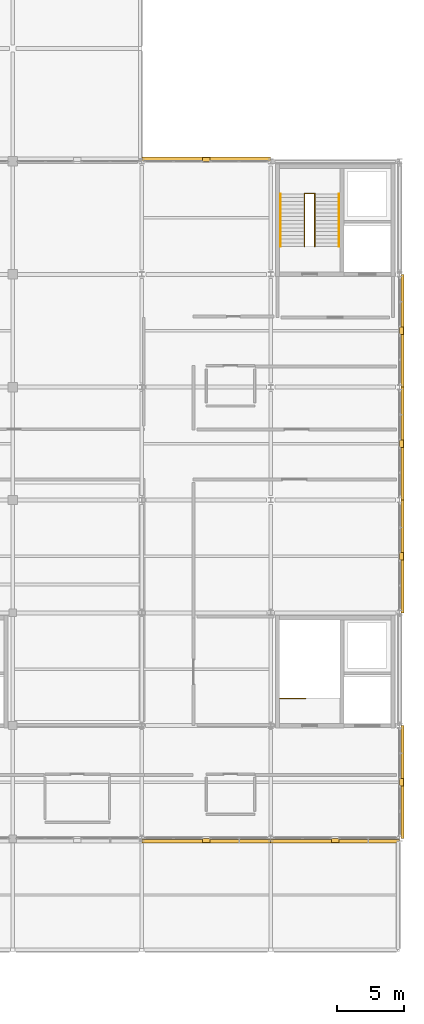
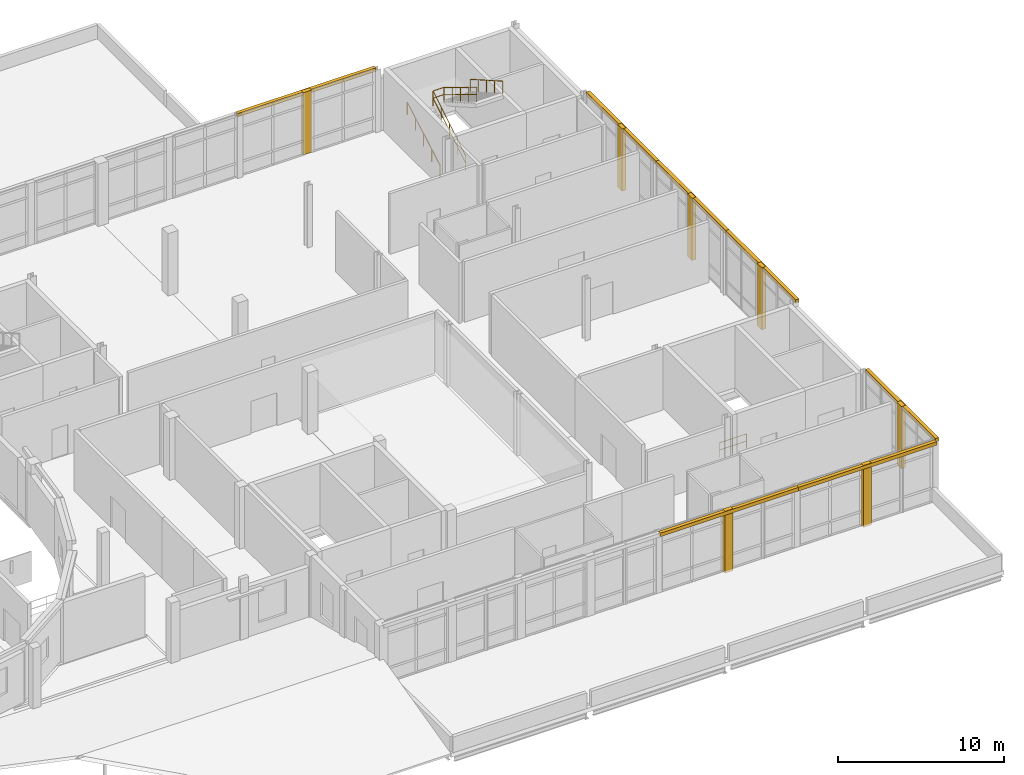
# One storey, part 52 of 52: 14 coverings, 6 railings.
"""IFC4 building model written with IfcOpenShell, lengths in metres."""

from ifc_helpers import new_model, si_unit, direction, frame, origin, origin_2d, place, context, subcontext, project, spatial, polyline, circle, outline, extrude, material, layer, layer_set, type_object, element, save


model = new_model("IFC4")

# Units and contexts
model_context = context("Model", 3, precision=1e-05, world=origin(), true_north=direction((0.0, 1.0)))
body_context = subcontext(model_context, "Body", "Model", "MODEL_VIEW")
ifc_project = project(units=[si_unit("LENGTHUNIT", "METRE"), si_unit("AREAUNIT", "SQUARE_METRE"), si_unit("VOLUMEUNIT", "CUBIC_METRE"), si_unit("PLANEANGLEUNIT", "RADIAN"), si_unit("MASSUNIT", "GRAM", prefix="KILO")], contexts=[model_context])

# Site, building, storey
site_placement = place(None, origin())
site = spatial("IfcSite", under=ifc_project, at=site_placement, CompositionType="ELEMENT")
building_placement = place(site_placement, origin())
building = spatial("IfcBuilding", under=site, at=building_placement, Name="Lornevale Opera House", CompositionType="ELEMENT")
storey_placement = place(building_placement, frame((0.0, 0.0, 15.0)))
storey = spatial("IfcBuildingStorey", under=building, at=storey_placement, Name="L04", CompositionType="ELEMENT", Elevation=15.0)

# Coverings
ifc_material_1 = material(Name="Precast Concrete 40 MPa (CSA A23.1 C-1)", Category="concrete")
ifc_layer_1 = layer(ifc_material_1, 0.260009765625)
ifc_layer_set_1 = layer_set([ifc_layer_1], Name="Precast Concrete 40 MPa (CSA A23.1 C-1)")
covering_type_1 = type_object("IfcCoveringType", Name="Postmodern Sandstone Pilaster Rib", PredefinedType="CLADDING", material=ifc_layer_set_1)
covering_1_placement = place(storey_placement, origin())
element("IfcCovering", 1, at=covering_1_placement, inside=storey, type_object=covering_type_1, Name="Postmodern Sandstone Mullion Pier 0391", PredefinedType="CLADDING", context=body_context, shape_type="SweptSolid", body=[
    extrude(outline(polyline([(129.8798828125, 25.199951171875), (129.320068359375, 25.199951171875), (129.320068359375, 24.919921875), (129.8798828125, 24.919921875), (129.8798828125, 25.199951171875)])), origin(), (0.0, 0.0, 1.0), 4.56005859375),
])
covering_2_placement = place(storey_placement, origin())
element("IfcCovering", 2, at=covering_2_placement, inside=storey, type_object=covering_type_1, Name="Postmodern Sandstone Mullion Pier 0393", PredefinedType="CLADDING", context=body_context, shape_type="SweptSolid", body=[
    extrude(outline(polyline([(129.320068359375, 75.60009765625), (129.8798828125, 75.60009765625), (129.8798828125, 75.8798828125), (129.320068359375, 75.8798828125), (129.320068359375, 75.60009765625)])), origin(), (0.0, 0.0, 1.0), 4.56005859375),
])
covering_3_placement = place(storey_placement, origin())
element("IfcCovering", 3, at=covering_3_placement, inside=storey, type_object=covering_type_1, Name="Postmodern Sandstone Mullion Pier 0395", PredefinedType="CLADDING", context=body_context, shape_type="SweptSolid", body=[
    extrude(outline(polyline([(139.47998046875, 25.199951171875), (138.919921875, 25.199951171875), (138.919921875, 24.919921875), (139.47998046875, 24.919921875), (139.47998046875, 25.199951171875)])), origin(), (0.0, 0.0, 1.0), 4.56005859375),
])
covering_4_placement = place(storey_placement, origin())
element("IfcCovering", 4, at=covering_4_placement, inside=storey, type_object=covering_type_1, Name="Postmodern Sandstone Mullion Pier 0397", PredefinedType="CLADDING", context=body_context, shape_type="SweptSolid", body=[
    extrude(outline(polyline([(144.0, 29.679931640625), (144.0, 29.1201171875), (144.280029296875, 29.1201171875), (144.280029296875, 29.679931640625), (144.0, 29.679931640625)])), origin(), (0.0, 0.0, 1.0), 4.56005859375),
])
covering_5_placement = place(storey_placement, origin())
element("IfcCovering", 5, at=covering_5_placement, inside=storey, type_object=covering_type_1, Name="Postmodern Sandstone Mullion Pier 0399", PredefinedType="CLADDING", context=body_context, shape_type="SweptSolid", body=[
    extrude(outline(polyline([(144.0, 46.47998046875), (144.0, 45.919921875), (144.280029296875, 45.919921875), (144.280029296875, 46.47998046875), (144.0, 46.47998046875)])), origin(), (0.0, 0.0, 1.0), 4.56005859375),
])
covering_6_placement = place(storey_placement, origin())
element("IfcCovering", 6, at=covering_6_placement, inside=storey, type_object=covering_type_1, Name="Postmodern Sandstone Mullion Pier 0401", PredefinedType="CLADDING", context=body_context, shape_type="SweptSolid", body=[
    extrude(outline(polyline([(144.0, 54.8798828125), (144.0, 54.320068359375), (144.280029296875, 54.320068359375), (144.280029296875, 54.8798828125), (144.0, 54.8798828125)])), origin(), (0.0, 0.0, 1.0), 4.56005859375),
])
covering_7_placement = place(storey_placement, origin())
element("IfcCovering", 7, at=covering_7_placement, inside=storey, type_object=covering_type_1, Name="Postmodern Sandstone Mullion Pier 0403", PredefinedType="CLADDING", context=body_context, shape_type="SweptSolid", body=[
    extrude(outline(polyline([(144.0, 63.280029296875), (144.0, 62.719970703125), (144.280029296875, 62.719970703125), (144.280029296875, 63.280029296875), (144.0, 63.280029296875)])), origin(), (0.0, 0.0, 1.0), 4.56005859375),
])
ifc_material_2 = material(Name="Queenston Buff Limestone Ashlar Masonry (25 MPa)", Category="masonry")
ifc_layer_2 = layer(ifc_material_2, 0.1201171875)
ifc_layer_set_2 = layer_set([ifc_layer_2], Name="Queenston Buff Limestone Ashlar Masonry (25 MPa)")
covering_type_2 = type_object("IfcCoveringType", Name="Precast Limestone Cornice Band", PredefinedType="CLADDING", material=ifc_layer_set_2)
covering_8_placement = place(storey_placement, frame((0.0, 0.0, 4.300048828125)))
element("IfcCovering", 8, at=covering_8_placement, inside=storey, type_object=covering_type_2, Name="Precast Limestone Cornice Band 0392", PredefinedType="CLADDING", context=body_context, shape_type="SweptSolid", body=[
    extrude(outline(polyline([(134.39990234375, 25.1201171875), (124.800048828125, 25.1201171875), (124.800048828125, 24.8798828125), (134.39990234375, 24.8798828125), (134.39990234375, 25.1201171875)])), origin(), (0.0, 0.0, 1.0), 0.260009765625),
])
covering_9_placement = place(storey_placement, frame((0.0, 0.0, 4.300048828125)))
element("IfcCovering", 9, at=covering_9_placement, inside=storey, type_object=covering_type_2, Name="Precast Limestone Cornice Band 0394", PredefinedType="CLADDING", context=body_context, shape_type="SweptSolid", body=[
    extrude(outline(polyline([(124.800048828125, 75.679931640625), (134.39990234375, 75.679931640625), (134.39990234375, 75.919921875), (124.800048828125, 75.919921875), (124.800048828125, 75.679931640625)])), origin(), (0.0, 0.0, 1.0), 0.260009765625),
])
covering_10_placement = place(storey_placement, frame((0.0, 0.0, 4.300048828125)))
element("IfcCovering", 10, at=covering_10_placement, inside=storey, type_object=covering_type_2, Name="Precast Limestone Cornice Band 0396", PredefinedType="CLADDING", context=body_context, shape_type="SweptSolid", body=[
    extrude(outline(polyline([(144.0, 25.1201171875), (134.39990234375, 25.1201171875), (134.39990234375, 24.8798828125), (144.0, 24.8798828125), (144.0, 25.1201171875)])), origin(), (0.0, 0.0, 1.0), 0.260009765625),
])
covering_11_placement = place(storey_placement, frame((0.0, 0.0, 4.300048828125)))
element("IfcCovering", 11, at=covering_11_placement, inside=storey, type_object=covering_type_2, Name="Precast Limestone Cornice Band 0398", PredefinedType="CLADDING", context=body_context, shape_type="SweptSolid", body=[
    extrude(outline(polyline([(144.080078125, 33.60009765625), (144.080078125, 25.199951171875), (144.320068359375, 25.199951171875), (144.320068359375, 33.60009765625), (144.080078125, 33.60009765625)])), origin(), (0.0, 0.0, 1.0), 0.260009765625),
])
covering_12_placement = place(storey_placement, frame((0.0, 0.0, 4.300048828125)))
element("IfcCovering", 12, at=covering_12_placement, inside=storey, type_object=covering_type_2, Name="Precast Limestone Cornice Band 0400", PredefinedType="CLADDING", context=body_context, shape_type="SweptSolid", body=[
    extrude(outline(polyline([(144.080078125, 50.39990234375), (144.080078125, 42.0), (144.320068359375, 42.0), (144.320068359375, 50.39990234375), (144.080078125, 50.39990234375)])), origin(), (0.0, 0.0, 1.0), 0.260009765625),
])
covering_13_placement = place(storey_placement, frame((0.0, 0.0, 4.300048828125)))
element("IfcCovering", 13, at=covering_13_placement, inside=storey, type_object=covering_type_2, Name="Precast Limestone Cornice Band 0402", PredefinedType="CLADDING", context=body_context, shape_type="SweptSolid", body=[
    extrude(outline(polyline([(144.080078125, 58.800048828125), (144.080078125, 50.39990234375), (144.320068359375, 50.39990234375), (144.320068359375, 58.800048828125), (144.080078125, 58.800048828125)])), origin(), (0.0, 0.0, 1.0), 0.260009765625),
])
covering_14_placement = place(storey_placement, frame((0.0, 0.0, 4.300048828125)))
element("IfcCovering", 14, at=covering_14_placement, inside=storey, type_object=covering_type_2, Name="Precast Limestone Cornice Band 0404", PredefinedType="CLADDING", context=body_context, shape_type="SweptSolid", body=[
    extrude(outline(polyline([(144.080078125, 67.199951171875), (144.080078125, 58.800048828125), (144.320068359375, 58.800048828125), (144.320068359375, 67.199951171875), (144.080078125, 67.199951171875)])), origin(), (0.0, 0.0, 1.0), 0.260009765625),
])

# Railings
ifc_material_3 = material(Name="Structural Steel CSA G40.21 Grade 350W (350 MPa)", Category="steel")
ifc_layer_3 = layer(ifc_material_3, 0.050048828125)
ifc_layer_set_3 = layer_set([ifc_layer_3], Name="Structural Steel CSA G40.21 Grade 350W (350 MPa)")
railing_type_1 = type_object("IfcRailingType", Name="Stair Well Guardrail 1100", PredefinedType="GUARDRAIL", material=ifc_layer_set_3)
railing_1_placement = place(storey_placement, frame((136.919921875, 69.260009765625, 0.0)))
element("IfcRailing", 15, at=railing_1_placement, inside=storey, type_object=railing_type_1, Name="ST-33 Inner Well Guard F1", PredefinedType="GUARDRAIL", context=body_context, shape_type="SweptSolid", body=[
    extrude(circle(Radius=0.02392578125, at=origin_2d()), frame((0.0, 0.0, 1.076171875), z_axis=(0.0, 0.852856131449, 0.522145974847), x_axis=(-1.0, 0.0, 0.0)), (0.0, 0.0, 1.0), 4.59619140625),
    extrude(circle(Radius=0.02392578125, at=origin_2d()), frame((0.0, 0.0, 0.550048828125), z_axis=(0.0, 0.852856131449, 0.522145974847), x_axis=(-1.0, 0.0, 0.0)), (0.0, 0.0, 1.0), 4.59619140625),
    extrude(circle(Radius=0.02099609375, at=origin_2d()), origin(), (0.0, 0.0, 1.0), 1.052001953125),
    extrude(circle(Radius=0.02099609375, at=origin_2d()), frame((0.0, 0.97998046875, 0.60009765625)), (0.0, 0.0, 1.0), 1.052001953125),
    extrude(circle(Radius=0.02099609375, at=origin_2d()), frame((0.0, 1.9599609375, 1.199951171875)), (0.0, 0.0, 1.0), 1.052001953125),
    extrude(circle(Radius=0.02099609375, at=origin_2d()), frame((0.0, 2.93994140625, 1.7998046875)), (0.0, 0.0, 1.0), 1.052001953125),
    extrude(circle(Radius=0.02099609375, at=origin_2d()), frame((0.0, 3.919921875, 2.39990234375)), (0.0, 0.0, 1.0), 1.052001953125),
])
railing_2_placement = place(storey_placement, frame((137.679931640625, 73.179931640625, 2.39990234375)))
element("IfcRailing", 16, at=railing_2_placement, inside=storey, type_object=railing_type_1, Name="ST-33 Inner Well Guard F2", PredefinedType="GUARDRAIL", context=body_context, shape_type="SweptSolid", body=[
    extrude(circle(Radius=0.02392578125, at=origin_2d()), frame((0.0, 0.0, 1.076171875), z_axis=(0.0, -0.852832477147, 0.522184609045), x_axis=(1.0, 0.0, 0.0)), (0.0, 0.0, 1.0), 4.596435546875),
    extrude(circle(Radius=0.02392578125, at=origin_2d()), frame((0.0, 0.0, 0.550048828125), z_axis=(0.0, -0.852832477147, 0.522184609045), x_axis=(1.0, 0.0, 0.0)), (0.0, 0.0, 1.0), 4.596435546875),
    extrude(circle(Radius=0.02099609375, at=origin_2d()), origin(), (0.0, 0.0, 1.0), 1.052001953125),
    extrude(circle(Radius=0.02099609375, at=origin_2d()), frame((0.0, -0.97998046875, 0.60009765625)), (0.0, 0.0, 1.0), 1.052001953125),
    extrude(circle(Radius=0.02099609375, at=origin_2d()), frame((0.0, -1.9599609375, 1.2001953125)), (0.0, 0.0, 1.0), 1.052001953125),
    extrude(circle(Radius=0.02099609375, at=origin_2d()), frame((0.0, -2.93994140625, 1.800048828125)), (0.0, 0.0, 1.0), 1.052001953125),
    extrude(circle(Radius=0.02099609375, at=origin_2d()), frame((0.0, -3.919921875, 2.400146484375)), (0.0, 0.0, 1.0), 1.052001953125),
])
railing_3_placement = place(storey_placement, frame((136.919921875, 73.2099609375, 2.39990234375)))
element("IfcRailing", 17, at=railing_3_placement, inside=storey, type_object=railing_type_1, Name="ST-33 Half-Landing Slot Guard", PredefinedType="GUARDRAIL", context=body_context, shape_type="SweptSolid", body=[
    extrude(circle(Radius=0.02392578125, at=origin_2d()), frame((0.0, 0.0, 1.076171875), z_axis=(1.0, 0.0, 0.0), x_axis=(0.0, 1.0, 0.0)), (0.0, 0.0, 1.0), 0.760009765625),
    extrude(circle(Radius=0.02392578125, at=origin_2d()), frame((0.0, 0.0, 0.550048828125), z_axis=(1.0, 0.0, 0.0), x_axis=(0.0, 1.0, 0.0)), (0.0, 0.0, 1.0), 0.760009765625),
    extrude(circle(Radius=0.02099609375, at=origin_2d()), origin(), (0.0, 0.0, 1.0), 1.052001953125),
    extrude(circle(Radius=0.02099609375, at=origin_2d()), frame((0.760009765625, 0.0, 0.0)), (0.0, 0.0, 1.0), 1.052001953125),
])
railing_4_placement = place(storey_placement, frame((135.10009765625, 35.6201171875, 0.0)))
element("IfcRailing", 18, at=railing_4_placement, inside=storey, type_object=railing_type_1, Name="ST-39 Top Floor Well Guard", PredefinedType="GUARDRAIL", context=body_context, shape_type="SweptSolid", body=[
    extrude(circle(Radius=0.02392578125, at=origin_2d()), frame((0.0, 0.0, 1.076171875), z_axis=(1.0, 0.0, 0.0), x_axis=(0.0, 1.0, 0.0)), (0.0, 0.0, 1.0), 1.8798828125),
    extrude(circle(Radius=0.02392578125, at=origin_2d()), frame((0.0, 0.0, 0.550048828125), z_axis=(1.0, 0.0, 0.0), x_axis=(0.0, 1.0, 0.0)), (0.0, 0.0, 1.0), 1.8798828125),
    extrude(circle(Radius=0.02099609375, at=origin_2d()), origin(), (0.0, 0.0, 1.0), 1.052001953125),
    extrude(circle(Radius=0.02099609375, at=origin_2d()), frame((0.93994140625, 0.0, 0.0)), (0.0, 0.0, 1.0), 1.052001953125),
    extrude(circle(Radius=0.02099609375, at=origin_2d()), frame((1.8798828125, 0.0, 0.0)), (0.0, 0.0, 1.0), 1.052001953125),
])
ifc_layer_4 = layer(ifc_material_3, 0.048095703125)
ifc_layer_set_4 = layer_set([ifc_layer_4], Name="Structural Steel CSA G40.21 Grade 350W (350 MPa)")
railing_type_2 = type_object("IfcRailingType", Name="Tubular Stair Handrail 915", PredefinedType="HANDRAIL", material=ifc_layer_set_4)
railing_5_placement = place(storey_placement, frame((135.1201171875, 69.260009765625, 0.1630859375)))
element("IfcRailing", 19, at=railing_5_placement, inside=storey, type_object=railing_type_2, Name="ST-33 Outer Handrail F1", PredefinedType="HANDRAIL", context=body_context, shape_type="SweptSolid", body=[
    extrude(circle(Radius=0.02392578125, at=origin_2d()), frame((0.0, 0.0, 0.89111328125), z_axis=(0.0, 0.868239814368, 0.496144761885), x_axis=(-1.0, 0.0, 0.0)), (0.0, 0.0, 1.0), 4.514892578125),
    extrude(circle(Radius=0.02099609375, at=origin_2d()), origin(), (0.0, 0.0, 1.0), 0.866943359375),
    extrude(circle(Radius=0.02099609375, at=origin_2d()), frame((0.0, 0.97998046875, 0.56005859375)), (0.0, 0.0, 1.0), 0.866943359375),
    extrude(circle(Radius=0.02099609375, at=origin_2d()), frame((0.0, 1.9599609375, 1.1201171875)), (0.0, 0.0, 1.0), 0.866943359375),
    extrude(circle(Radius=0.02099609375, at=origin_2d()), frame((0.0, 2.93994140625, 1.679931640625)), (0.0, 0.0, 1.0), 0.866943359375),
    extrude(circle(Radius=0.02099609375, at=origin_2d()), frame((0.0, 3.919921875, 2.239990234375)), (0.0, 0.0, 1.0), 0.866943359375),
])
railing_6_placement = place(storey_placement, frame((139.47998046875, 73.179931640625, 2.56298828125)))
element("IfcRailing", 20, at=railing_6_placement, inside=storey, type_object=railing_type_2, Name="ST-33 Outer Handrail F2", PredefinedType="HANDRAIL", context=body_context, shape_type="SweptSolid", body=[
    extrude(circle(Radius=0.02392578125, at=origin_2d()), frame((0.0, 0.0, 0.89111328125), z_axis=(0.0, -0.868239814368, 0.496144761885), x_axis=(1.0, 0.0, 0.0)), (0.0, 0.0, 1.0), 4.514892578125),
    extrude(circle(Radius=0.02099609375, at=origin_2d()), origin(), (0.0, 0.0, 1.0), 0.866943359375),
    extrude(circle(Radius=0.02099609375, at=origin_2d()), frame((0.0, -0.97998046875, 0.56005859375)), (0.0, 0.0, 1.0), 0.866943359375),
    extrude(circle(Radius=0.02099609375, at=origin_2d()), frame((0.0, -1.9599609375, 1.1201171875)), (0.0, 0.0, 1.0), 0.866943359375),
    extrude(circle(Radius=0.02099609375, at=origin_2d()), frame((0.0, -2.93994140625, 1.679931640625)), (0.0, 0.0, 1.0), 0.866943359375),
    extrude(circle(Radius=0.02099609375, at=origin_2d()), frame((0.0, -3.919921875, 2.239990234375)), (0.0, 0.0, 1.0), 0.866943359375),
])

save(model, "model.ifc")
